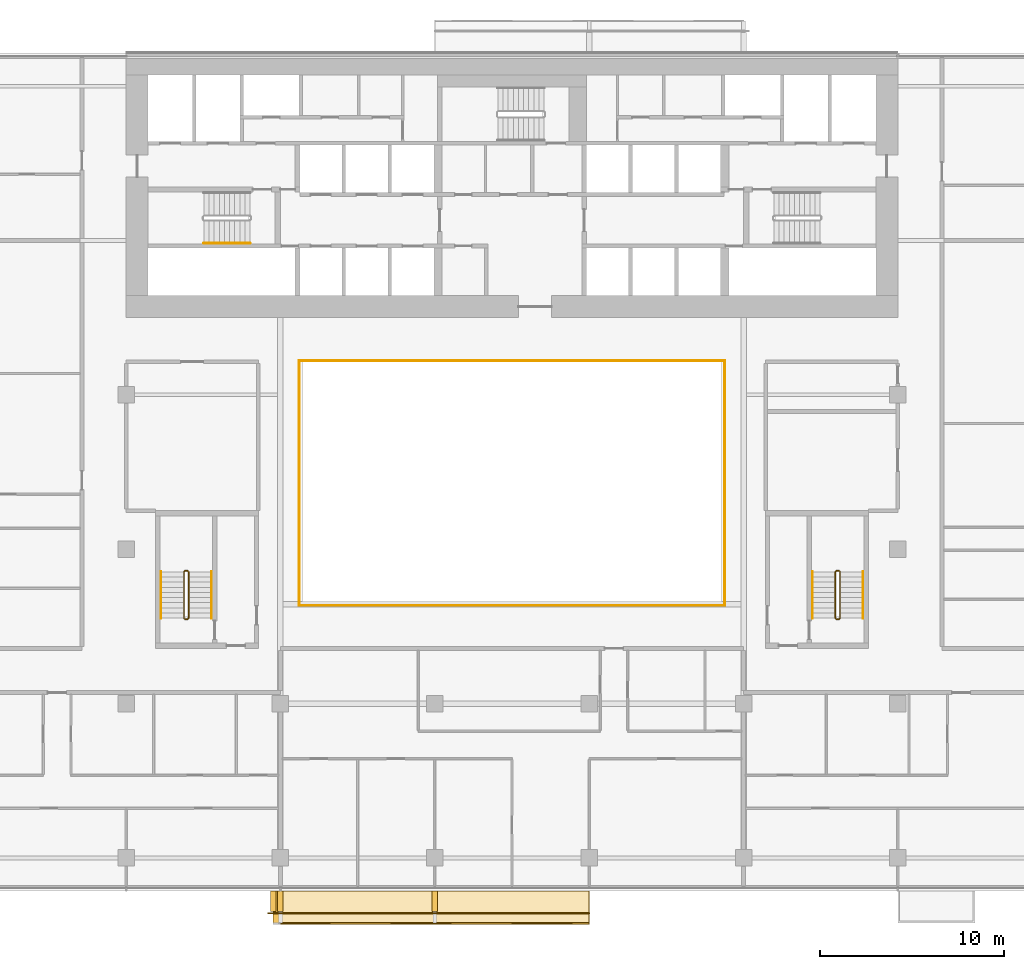
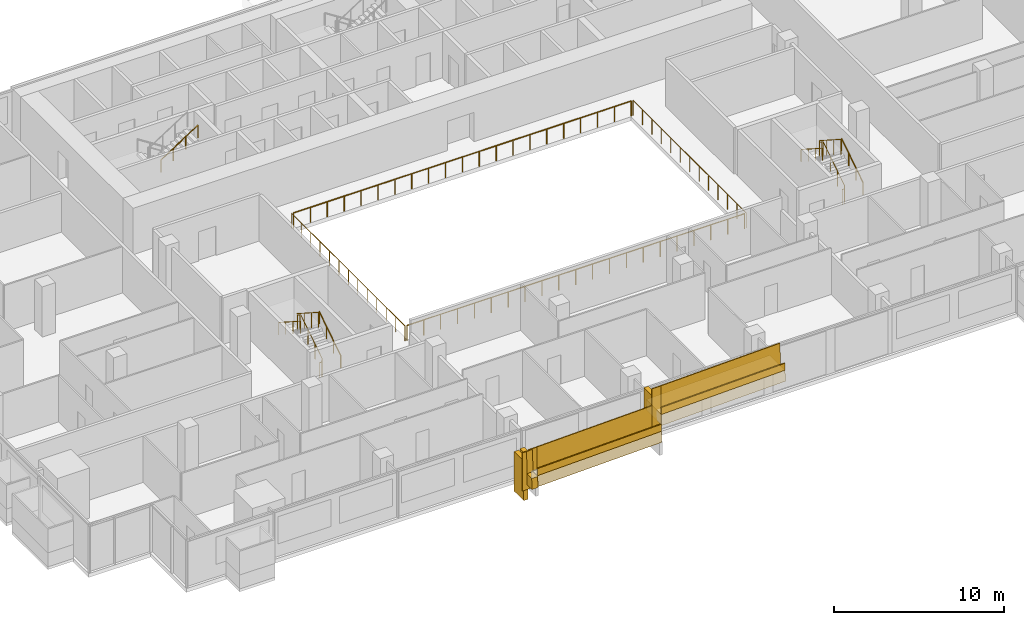
# One storey, part 26 of 27: 17 railings, 8 coverings.
"""IFC4 building model written with IfcOpenShell, lengths in metres."""

from ifc_helpers import new_model, si_unit, direction, frame, origin, origin_2d, place, context, subcontext, project, spatial, polyline, rectangle, circle, outline, extrude, material, layer, layer_set, type_object, element, save


model = new_model("IFC4")

# Units and contexts
model_context = context("Model", 3, precision=1e-05, world=origin(), true_north=direction((0.0, 1.0)))
body_context = subcontext(model_context, "Body", "Model", "MODEL_VIEW")
ifc_project = project(units=[si_unit("LENGTHUNIT", "METRE"), si_unit("AREAUNIT", "SQUARE_METRE"), si_unit("VOLUMEUNIT", "CUBIC_METRE"), si_unit("PLANEANGLEUNIT", "RADIAN"), si_unit("MASSUNIT", "GRAM", prefix="KILO")], contexts=[model_context])

# Site, building, storey
site_placement = place(None, origin())
site = spatial("IfcSite", under=ifc_project, at=site_placement, CompositionType="ELEMENT")
building_placement = place(site_placement, origin())
building = spatial("IfcBuilding", under=site, at=building_placement, Name="Saffron Gate Tower", CompositionType="ELEMENT")
storey_placement = place(building_placement, frame((0.0, 0.0, 40.800048828125)))
storey = spatial("IfcBuildingStorey", under=building, at=storey_placement, Name="L08", CompositionType="ELEMENT", Elevation=40.800048828125)

# Railings
ifc_material_1 = material(Name="Stainless steel and laminated glass", Category="steel")
railing_type_1 = type_object("IfcRailingType", Name="AG1 Atrium edge guard 1100", PredefinedType="GUARDRAIL", material=ifc_material_1)
railing_1_placement = place(storey_placement, frame((76.02001953125, 45.5400390625, 0.0)))
element("IfcRailing", 1, at=railing_1_placement, inside=storey, type_object=railing_type_1, Name="Guard A1-1", PredefinedType="GUARDRAIL", context=body_context, shape_type="SweptSolid", body=[
    extrude(circle(Radius=0.02392578125, at=origin_2d()), frame((0.0, 0.0, 1.076171875), z_axis=(0.0, 1.0, 0.0), x_axis=(-1.0, 0.0, 0.0)), (0.0, 0.0, 1.0), 13.320068359375),
    extrude(circle(Radius=0.02099609375, at=origin_2d()), origin(), (0.0, 0.0, 1.0), 1.052001953125),
    extrude(circle(Radius=0.02099609375, at=origin_2d()), frame((0.0, 1.110107421875, 0.0)), (0.0, 0.0, 1.0), 1.052001953125),
    extrude(circle(Radius=0.02099609375, at=origin_2d()), frame((0.0, 2.219970703125, 0.0)), (0.0, 0.0, 1.0), 1.052001953125),
    extrude(circle(Radius=0.02099609375, at=origin_2d()), frame((0.0, 3.330078125, 0.0)), (0.0, 0.0, 1.0), 1.052001953125),
    extrude(circle(Radius=0.02099609375, at=origin_2d()), frame((0.0, 4.43994140625, 0.0)), (0.0, 0.0, 1.0), 1.052001953125),
    extrude(circle(Radius=0.02099609375, at=origin_2d()), frame((0.0, 5.550048828125, 0.0)), (0.0, 0.0, 1.0), 1.052001953125),
    extrude(circle(Radius=0.02099609375, at=origin_2d()), frame((0.0, 6.66015625, 0.0)), (0.0, 0.0, 1.0), 1.052001953125),
    extrude(circle(Radius=0.02099609375, at=origin_2d()), frame((0.0, 7.77001953125, 0.0)), (0.0, 0.0, 1.0), 1.052001953125),
    extrude(circle(Radius=0.02099609375, at=origin_2d()), frame((0.0, 8.880126953125, 0.0)), (0.0, 0.0, 1.0), 1.052001953125),
    extrude(circle(Radius=0.02099609375, at=origin_2d()), frame((0.0, 9.989990234375, 0.0)), (0.0, 0.0, 1.0), 1.052001953125),
    extrude(circle(Radius=0.02099609375, at=origin_2d()), frame((0.0, 11.10009765625, 0.0)), (0.0, 0.0, 1.0), 1.052001953125),
    extrude(circle(Radius=0.02099609375, at=origin_2d()), frame((0.0, 12.2099609375, 0.0)), (0.0, 0.0, 1.0), 1.052001953125),
    extrude(circle(Radius=0.02099609375, at=origin_2d()), frame((0.0, 13.320068359375, 0.0)), (0.0, 0.0, 1.0), 1.052001953125),
])
railing_2_placement = place(storey_placement, frame((76.139892578125, 58.860107421875, 0.0)))
element("IfcRailing", 2, at=railing_2_placement, inside=storey, type_object=railing_type_1, Name="Guard A1-2", PredefinedType="GUARDRAIL", context=body_context, shape_type="SweptSolid", body=[
    extrude(circle(Radius=0.02392578125, at=origin_2d()), frame((0.0, 0.0, 1.076171875), z_axis=(1.0, 0.0, 0.0), x_axis=(0.0, 1.0, 0.0)), (0.0, 0.0, 1.0), 22.920166015625),
    extrude(circle(Radius=0.02099609375, at=origin_2d()), origin(), (0.0, 0.0, 1.0), 1.052001953125),
    extrude(circle(Radius=0.02099609375, at=origin_2d()), frame((1.14599609375, 0.0, 0.0)), (0.0, 0.0, 1.0), 1.052001953125),
    extrude(circle(Radius=0.02099609375, at=origin_2d()), frame((2.2919921875, 0.0, 0.0)), (0.0, 0.0, 1.0), 1.052001953125),
    extrude(circle(Radius=0.02099609375, at=origin_2d()), frame((3.43798828125, 0.0, 0.0)), (0.0, 0.0, 1.0), 1.052001953125),
    extrude(circle(Radius=0.02099609375, at=origin_2d()), frame((4.583984375, 0.0, 0.0)), (0.0, 0.0, 1.0), 1.052001953125),
    extrude(circle(Radius=0.02099609375, at=origin_2d()), frame((5.72998046875, 0.0, 0.0)), (0.0, 0.0, 1.0), 1.052001953125),
    extrude(circle(Radius=0.02099609375, at=origin_2d()), frame((6.8759765625, 0.0, 0.0)), (0.0, 0.0, 1.0), 1.052001953125),
    extrude(circle(Radius=0.02099609375, at=origin_2d()), frame((8.02197265625, 0.0, 0.0)), (0.0, 0.0, 1.0), 1.052001953125),
    extrude(circle(Radius=0.02099609375, at=origin_2d()), frame((9.16796875, 0.0, 0.0)), (0.0, 0.0, 1.0), 1.052001953125),
    extrude(circle(Radius=0.02099609375, at=origin_2d()), frame((10.31396484375, 0.0, 0.0)), (0.0, 0.0, 1.0), 1.052001953125),
    extrude(circle(Radius=0.02099609375, at=origin_2d()), frame((11.4599609375, 0.0, 0.0)), (0.0, 0.0, 1.0), 1.052001953125),
    extrude(circle(Radius=0.02099609375, at=origin_2d()), frame((12.606201171875, 0.0, 0.0)), (0.0, 0.0, 1.0), 1.052001953125),
    extrude(circle(Radius=0.02099609375, at=origin_2d()), frame((13.752197265625, 0.0, 0.0)), (0.0, 0.0, 1.0), 1.052001953125),
    extrude(circle(Radius=0.02099609375, at=origin_2d()), frame((14.898193359375, 0.0, 0.0)), (0.0, 0.0, 1.0), 1.052001953125),
    extrude(circle(Radius=0.02099609375, at=origin_2d()), frame((16.044189453125, 0.0, 0.0)), (0.0, 0.0, 1.0), 1.052001953125),
    extrude(circle(Radius=0.02099609375, at=origin_2d()), frame((17.190185546875, 0.0, 0.0)), (0.0, 0.0, 1.0), 1.052001953125),
    extrude(circle(Radius=0.02099609375, at=origin_2d()), frame((18.336181640625, 0.0, 0.0)), (0.0, 0.0, 1.0), 1.052001953125),
    extrude(circle(Radius=0.02099609375, at=origin_2d()), frame((19.482177734375, 0.0, 0.0)), (0.0, 0.0, 1.0), 1.052001953125),
    extrude(circle(Radius=0.02099609375, at=origin_2d()), frame((20.628173828125, 0.0, 0.0)), (0.0, 0.0, 1.0), 1.052001953125),
    extrude(circle(Radius=0.02099609375, at=origin_2d()), frame((21.774169921875, 0.0, 0.0)), (0.0, 0.0, 1.0), 1.052001953125),
    extrude(circle(Radius=0.02099609375, at=origin_2d()), frame((22.920166015625, 0.0, 0.0)), (0.0, 0.0, 1.0), 1.052001953125),
])
railing_3_placement = place(storey_placement, frame((99.179931640625, 58.860107421875, 0.0)))
element("IfcRailing", 3, at=railing_3_placement, inside=storey, type_object=railing_type_1, Name="Guard A1-3", PredefinedType="GUARDRAIL", context=body_context, shape_type="SweptSolid", body=[
    extrude(circle(Radius=0.02392578125, at=origin_2d()), frame((0.0, 0.0, 1.076171875), z_axis=(0.0, -1.0, 0.0), x_axis=(1.0, 0.0, 0.0)), (0.0, 0.0, 1.0), 13.320068359375),
    extrude(circle(Radius=0.02099609375, at=origin_2d()), origin(), (0.0, 0.0, 1.0), 1.052001953125),
    extrude(circle(Radius=0.02099609375, at=origin_2d()), frame((0.0, -1.110107421875, 0.0)), (0.0, 0.0, 1.0), 1.052001953125),
    extrude(circle(Radius=0.02099609375, at=origin_2d()), frame((0.0, -2.219970703125, 0.0)), (0.0, 0.0, 1.0), 1.052001953125),
    extrude(circle(Radius=0.02099609375, at=origin_2d()), frame((0.0, -3.330078125, 0.0)), (0.0, 0.0, 1.0), 1.052001953125),
    extrude(circle(Radius=0.02099609375, at=origin_2d()), frame((0.0, -4.43994140625, 0.0)), (0.0, 0.0, 1.0), 1.052001953125),
    extrude(circle(Radius=0.02099609375, at=origin_2d()), frame((0.0, -5.550048828125, 0.0)), (0.0, 0.0, 1.0), 1.052001953125),
    extrude(circle(Radius=0.02099609375, at=origin_2d()), frame((0.0, -6.66015625, 0.0)), (0.0, 0.0, 1.0), 1.052001953125),
    extrude(circle(Radius=0.02099609375, at=origin_2d()), frame((0.0, -7.77001953125, 0.0)), (0.0, 0.0, 1.0), 1.052001953125),
    extrude(circle(Radius=0.02099609375, at=origin_2d()), frame((0.0, -8.880126953125, 0.0)), (0.0, 0.0, 1.0), 1.052001953125),
    extrude(circle(Radius=0.02099609375, at=origin_2d()), frame((0.0, -9.989990234375, 0.0)), (0.0, 0.0, 1.0), 1.052001953125),
    extrude(circle(Radius=0.02099609375, at=origin_2d()), frame((0.0, -11.10009765625, 0.0)), (0.0, 0.0, 1.0), 1.052001953125),
    extrude(circle(Radius=0.02099609375, at=origin_2d()), frame((0.0, -12.2099609375, 0.0)), (0.0, 0.0, 1.0), 1.052001953125),
    extrude(circle(Radius=0.02099609375, at=origin_2d()), frame((0.0, -13.320068359375, 0.0)), (0.0, 0.0, 1.0), 1.052001953125),
])
railing_4_placement = place(storey_placement, frame((99.06005859375, 45.5400390625, 0.0)))
element("IfcRailing", 4, at=railing_4_placement, inside=storey, type_object=railing_type_1, Name="Guard A1-4", PredefinedType="GUARDRAIL", context=body_context, shape_type="SweptSolid", body=[
    extrude(circle(Radius=0.02392578125, at=origin_2d()), frame((0.0, 0.0, 1.076171875), z_axis=(-1.0, 0.0, 0.0), x_axis=(0.0, -1.0, 0.0)), (0.0, 0.0, 1.0), 22.920166015625),
    extrude(circle(Radius=0.02099609375, at=origin_2d()), origin(), (0.0, 0.0, 1.0), 1.052001953125),
    extrude(circle(Radius=0.02099609375, at=origin_2d()), frame((-1.14599609375, 0.0, 0.0)), (0.0, 0.0, 1.0), 1.052001953125),
    extrude(circle(Radius=0.02099609375, at=origin_2d()), frame((-2.2919921875, 0.0, 0.0)), (0.0, 0.0, 1.0), 1.052001953125),
    extrude(circle(Radius=0.02099609375, at=origin_2d()), frame((-3.43798828125, 0.0, 0.0)), (0.0, 0.0, 1.0), 1.052001953125),
    extrude(circle(Radius=0.02099609375, at=origin_2d()), frame((-4.583984375, 0.0, 0.0)), (0.0, 0.0, 1.0), 1.052001953125),
    extrude(circle(Radius=0.02099609375, at=origin_2d()), frame((-5.72998046875, 0.0, 0.0)), (0.0, 0.0, 1.0), 1.052001953125),
    extrude(circle(Radius=0.02099609375, at=origin_2d()), frame((-6.8759765625, 0.0, 0.0)), (0.0, 0.0, 1.0), 1.052001953125),
    extrude(circle(Radius=0.02099609375, at=origin_2d()), frame((-8.02197265625, 0.0, 0.0)), (0.0, 0.0, 1.0), 1.052001953125),
    extrude(circle(Radius=0.02099609375, at=origin_2d()), frame((-9.16796875, 0.0, 0.0)), (0.0, 0.0, 1.0), 1.052001953125),
    extrude(circle(Radius=0.02099609375, at=origin_2d()), frame((-10.31396484375, 0.0, 0.0)), (0.0, 0.0, 1.0), 1.052001953125),
    extrude(circle(Radius=0.02099609375, at=origin_2d()), frame((-11.4599609375, 0.0, 0.0)), (0.0, 0.0, 1.0), 1.052001953125),
    extrude(circle(Radius=0.02099609375, at=origin_2d()), frame((-12.606201171875, 0.0, 0.0)), (0.0, 0.0, 1.0), 1.052001953125),
    extrude(circle(Radius=0.02099609375, at=origin_2d()), frame((-13.752197265625, 0.0, 0.0)), (0.0, 0.0, 1.0), 1.052001953125),
    extrude(circle(Radius=0.02099609375, at=origin_2d()), frame((-14.898193359375, 0.0, 0.0)), (0.0, 0.0, 1.0), 1.052001953125),
    extrude(circle(Radius=0.02099609375, at=origin_2d()), frame((-16.044189453125, 0.0, 0.0)), (0.0, 0.0, 1.0), 1.052001953125),
    extrude(circle(Radius=0.02099609375, at=origin_2d()), frame((-17.190185546875, 0.0, 0.0)), (0.0, 0.0, 1.0), 1.052001953125),
    extrude(circle(Radius=0.02099609375, at=origin_2d()), frame((-18.336181640625, 0.0, 0.0)), (0.0, 0.0, 1.0), 1.052001953125),
    extrude(circle(Radius=0.02099609375, at=origin_2d()), frame((-19.482177734375, 0.0, 0.0)), (0.0, 0.0, 1.0), 1.052001953125),
    extrude(circle(Radius=0.02099609375, at=origin_2d()), frame((-20.628173828125, 0.0, 0.0)), (0.0, 0.0, 1.0), 1.052001953125),
    extrude(circle(Radius=0.02099609375, at=origin_2d()), frame((-21.774169921875, 0.0, 0.0)), (0.0, 0.0, 1.0), 1.052001953125),
    extrude(circle(Radius=0.02099609375, at=origin_2d()), frame((-22.920166015625, 0.0, 0.0)), (0.0, 0.0, 1.0), 1.052001953125),
])
railing_type_2 = type_object("IfcRailingType", Name="CR1 Stair guard 1100", PredefinedType="GUARDRAIL", material=ifc_material_1)
railing_5_placement = place(storey_placement, frame((69.800048828125, 44.800048828125, 0.0)))
element("IfcRailing", 5, at=railing_5_placement, inside=storey, type_object=railing_type_2, Name="L08 ST-D stair guard 1", PredefinedType="GUARDRAIL", context=body_context, shape_type="SweptSolid", body=[
    extrude(circle(Radius=0.02392578125, at=origin_2d()), frame((0.0, 0.0, 1.076171875), z_axis=(1.0, 0.0, 0.0), x_axis=(0.0, 1.0, 0.0)), (0.0, 0.0, 1.0), 0.14990234375),
    extrude(circle(Radius=0.02392578125, at=origin_2d()), frame((0.14990234375, 0.0, 1.076171875), z_axis=(0.258847668887, 0.258847668887, 0.930588936439), x_axis=(-0.707106781187, 0.707106781187, 0.0)), (0.0, 0.0, 1.0), 0.193359375),
    extrude(circle(Radius=0.02392578125, at=origin_2d()), frame((0.199951171875, 0.050048828125, 1.255859375), z_axis=(0.0, 0.841162588446, 0.540782303519), x_axis=(-1.0, 0.0, 0.0)), (0.0, 0.0, 1.0), 2.995849609375),
    extrude(circle(Radius=0.02392578125, at=origin_2d()), frame((0.199951171875, 2.570068359375, 2.8759765625), z_axis=(-0.708833529934, 0.705375805398, 0.0), x_axis=(-0.705375805398, -0.708833529934, 0.0)), (0.0, 0.0, 1.0), 0.070556640625),
    extrude(circle(Radius=0.02392578125, at=origin_2d()), frame((0.14990234375, 2.619873046875, 2.8759765625), z_axis=(-1.0, 0.0, 0.0), x_axis=(0.0, -1.0, 0.0)), (0.0, 0.0, 1.0), 0.14990234375),
    extrude(circle(Radius=0.02392578125, at=origin_2d()), frame((0.0, 2.619873046875, 2.8759765625), z_axis=(-0.258932105505, -0.257669022063, 0.930892496375), x_axis=(0.705375805398, -0.708833529934, 0.0)), (0.0, 0.0, 1.0), 0.193359375),
    extrude(circle(Radius=0.02392578125, at=origin_2d()), frame((-0.050048828125, 2.570068359375, 3.05615234375), z_axis=(0.0, -0.841199657755, 0.540724639528), x_axis=(1.0, 0.0, 0.0)), (0.0, 0.0, 1.0), 2.995849609375),
    extrude(circle(Radius=0.02099609375, at=origin_2d()), origin(), (0.0, 0.0, 1.0), 1.052001953125),
    extrude(circle(Radius=0.02099609375, at=origin_2d()), frame((0.14990234375, 0.0, 0.0)), (0.0, 0.0, 1.0), 1.052001953125),
    extrude(circle(Radius=0.02099609375, at=origin_2d()), frame((0.199951171875, 0.050048828125, 0.179931640625)), (0.0, 0.0, 1.0), 1.052001953125),
    extrude(circle(Radius=0.02099609375, at=origin_2d()), frame((0.199951171875, 0.89013671875, 0.719970703125)), (0.0, 0.0, 1.0), 1.052001953125),
    extrude(circle(Radius=0.02099609375, at=origin_2d()), frame((0.199951171875, 1.72998046875, 1.260009765625)), (0.0, 0.0, 1.0), 1.052001953125),
    extrude(circle(Radius=0.02099609375, at=origin_2d()), frame((0.199951171875, 2.570068359375, 1.800048828125)), (0.0, 0.0, 1.0), 1.052001953125),
    extrude(circle(Radius=0.02099609375, at=origin_2d()), frame((0.14990234375, 2.619873046875, 1.800048828125)), (0.0, 0.0, 1.0), 1.052001953125),
    extrude(circle(Radius=0.02099609375, at=origin_2d()), frame((0.0, 2.619873046875, 1.800048828125)), (0.0, 0.0, 1.0), 1.052001953125),
    extrude(circle(Radius=0.02099609375, at=origin_2d()), frame((-0.050048828125, 2.570068359375, 1.97998046875)), (0.0, 0.0, 1.0), 1.052001953125),
    extrude(circle(Radius=0.02099609375, at=origin_2d()), frame((-0.050048828125, 1.72998046875, 2.52001953125)), (0.0, 0.0, 1.0), 1.052001953125),
    extrude(circle(Radius=0.02099609375, at=origin_2d()), frame((-0.050048828125, 0.89013671875, 3.059814453125)), (0.0, 0.0, 1.0), 1.052001953125),
    extrude(circle(Radius=0.02099609375, at=origin_2d()), frame((-0.050048828125, 0.050048828125, 3.599853515625)), (0.0, 0.0, 1.0), 1.052001953125),
])
railing_6_placement = place(storey_placement, frame((105.25, 44.800048828125, 0.0)))
element("IfcRailing", 6, at=railing_6_placement, inside=storey, type_object=railing_type_2, Name="L08 ST-E stair guard 1", PredefinedType="GUARDRAIL", context=body_context, shape_type="SweptSolid", body=[
    extrude(circle(Radius=0.02392578125, at=origin_2d()), frame((0.0, 0.0, 1.076171875), z_axis=(1.0, 0.0, 0.0), x_axis=(0.0, 1.0, 0.0)), (0.0, 0.0, 1.0), 0.14990234375),
    extrude(circle(Radius=0.02392578125, at=origin_2d()), frame((0.14990234375, 0.0, 1.076171875), z_axis=(0.258847668887, 0.258847668887, 0.930588936439), x_axis=(-0.707106781187, 0.707106781187, 0.0)), (0.0, 0.0, 1.0), 0.193359375),
    extrude(circle(Radius=0.02392578125, at=origin_2d()), frame((0.199951171875, 0.050048828125, 1.255859375), z_axis=(0.0, 0.841162588446, 0.540782303519), x_axis=(-1.0, 0.0, 0.0)), (0.0, 0.0, 1.0), 2.995849609375),
    extrude(circle(Radius=0.02392578125, at=origin_2d()), frame((0.199951171875, 2.570068359375, 2.8759765625), z_axis=(-0.708833529934, 0.705375805398, 0.0), x_axis=(-0.705375805398, -0.708833529934, 0.0)), (0.0, 0.0, 1.0), 0.070556640625),
    extrude(circle(Radius=0.02392578125, at=origin_2d()), frame((0.14990234375, 2.619873046875, 2.8759765625), z_axis=(-1.0, 0.0, 0.0), x_axis=(0.0, -1.0, 0.0)), (0.0, 0.0, 1.0), 0.14990234375),
    extrude(circle(Radius=0.02392578125, at=origin_2d()), frame((0.0, 2.619873046875, 2.8759765625), z_axis=(-0.258932105505, -0.257669022063, 0.930892496375), x_axis=(0.705375805398, -0.708833529934, 0.0)), (0.0, 0.0, 1.0), 0.193359375),
    extrude(circle(Radius=0.02392578125, at=origin_2d()), frame((-0.050048828125, 2.570068359375, 3.05615234375), z_axis=(0.0, -0.841199657755, 0.540724639528), x_axis=(1.0, 0.0, 0.0)), (0.0, 0.0, 1.0), 2.995849609375),
    extrude(circle(Radius=0.02099609375, at=origin_2d()), origin(), (0.0, 0.0, 1.0), 1.052001953125),
    extrude(circle(Radius=0.02099609375, at=origin_2d()), frame((0.14990234375, 0.0, 0.0)), (0.0, 0.0, 1.0), 1.052001953125),
    extrude(circle(Radius=0.02099609375, at=origin_2d()), frame((0.199951171875, 0.050048828125, 0.179931640625)), (0.0, 0.0, 1.0), 1.052001953125),
    extrude(circle(Radius=0.02099609375, at=origin_2d()), frame((0.199951171875, 0.89013671875, 0.719970703125)), (0.0, 0.0, 1.0), 1.052001953125),
    extrude(circle(Radius=0.02099609375, at=origin_2d()), frame((0.199951171875, 1.72998046875, 1.260009765625)), (0.0, 0.0, 1.0), 1.052001953125),
    extrude(circle(Radius=0.02099609375, at=origin_2d()), frame((0.199951171875, 2.570068359375, 1.800048828125)), (0.0, 0.0, 1.0), 1.052001953125),
    extrude(circle(Radius=0.02099609375, at=origin_2d()), frame((0.14990234375, 2.619873046875, 1.800048828125)), (0.0, 0.0, 1.0), 1.052001953125),
    extrude(circle(Radius=0.02099609375, at=origin_2d()), frame((0.0, 2.619873046875, 1.800048828125)), (0.0, 0.0, 1.0), 1.052001953125),
    extrude(circle(Radius=0.02099609375, at=origin_2d()), frame((-0.050048828125, 2.570068359375, 1.97998046875)), (0.0, 0.0, 1.0), 1.052001953125),
    extrude(circle(Radius=0.02099609375, at=origin_2d()), frame((-0.050048828125, 1.72998046875, 2.52001953125)), (0.0, 0.0, 1.0), 1.052001953125),
    extrude(circle(Radius=0.02099609375, at=origin_2d()), frame((-0.050048828125, 0.89013671875, 3.059814453125)), (0.0, 0.0, 1.0), 1.052001953125),
    extrude(circle(Radius=0.02099609375, at=origin_2d()), frame((-0.050048828125, 0.050048828125, 3.599853515625)), (0.0, 0.0, 1.0), 1.052001953125),
])
ifc_material_2 = material(Name="Stainless steel", Category="steel")
railing_type_3 = type_object("IfcRailingType", Name="CR2 Stair handrail 900", PredefinedType="HANDRAIL", material=ifc_material_2)
railing_7_placement = place(storey_placement, frame((70.830078125, 65.25, 1.97998046875)))
element("IfcRailing", 7, at=railing_7_placement, inside=storey, type_object=railing_type_3, Name="L08 ST-A stair handrail 2", PredefinedType="HANDRAIL", context=body_context, shape_type="SweptSolid", body=[
    extrude(circle(Radius=0.02392578125, at=origin_2d()), frame((0.0, 0.0, 0.8759765625), z_axis=(0.841199657755, 0.0, 0.540724639528), x_axis=(0.0, 1.0, 0.0)), (0.0, 0.0, 1.0), 2.995849609375),
    extrude(circle(Radius=0.02099609375, at=origin_2d()), origin(), (0.0, 0.0, 1.0), 0.851806640625),
    extrude(circle(Radius=0.02099609375, at=origin_2d()), frame((0.840087890625, 0.0, 0.5400390625)), (0.0, 0.0, 1.0), 0.851806640625),
    extrude(circle(Radius=0.02099609375, at=origin_2d()), frame((1.679931640625, 0.0, 1.079833984375)), (0.0, 0.0, 1.0), 0.851806640625),
    extrude(circle(Radius=0.02099609375, at=origin_2d()), frame((2.52001953125, 0.0, 1.619873046875)), (0.0, 0.0, 1.0), 0.851806640625),
])
railing_8_placement = place(storey_placement, frame((71.25, 44.85009765625, 0.179931640625)))
element("IfcRailing", 8, at=railing_8_placement, inside=storey, type_object=railing_type_3, Name="L08 ST-D stair handrail 1", PredefinedType="HANDRAIL", context=body_context, shape_type="SweptSolid", body=[
    extrude(circle(Radius=0.02392578125, at=origin_2d()), frame((0.0, 0.0, 0.8759765625), z_axis=(0.0, 0.841162588446, 0.540782303519), x_axis=(-1.0, 0.0, 0.0)), (0.0, 0.0, 1.0), 2.995849609375),
    extrude(circle(Radius=0.02099609375, at=origin_2d()), origin(), (0.0, 0.0, 1.0), 0.851806640625),
    extrude(circle(Radius=0.02099609375, at=origin_2d()), frame((0.0, 0.840087890625, 0.5400390625)), (0.0, 0.0, 1.0), 0.851806640625),
    extrude(circle(Radius=0.02099609375, at=origin_2d()), frame((0.0, 1.679931640625, 1.080078125)), (0.0, 0.0, 1.0), 0.851806640625),
    extrude(circle(Radius=0.02099609375, at=origin_2d()), frame((0.0, 2.52001953125, 1.6201171875)), (0.0, 0.0, 1.0), 0.851806640625),
])
railing_9_placement = place(storey_placement, frame((68.5, 47.3701171875, 1.97998046875)))
element("IfcRailing", 9, at=railing_9_placement, inside=storey, type_object=railing_type_3, Name="L08 ST-D stair handrail 2", PredefinedType="HANDRAIL", context=body_context, shape_type="SweptSolid", body=[
    extrude(circle(Radius=0.02392578125, at=origin_2d()), frame((0.0, 0.0, 0.8759765625), z_axis=(0.0, -0.841199657755, 0.540724639528), x_axis=(1.0, 0.0, 0.0)), (0.0, 0.0, 1.0), 2.995849609375),
    extrude(circle(Radius=0.02099609375, at=origin_2d()), origin(), (0.0, 0.0, 1.0), 0.851806640625),
    extrude(circle(Radius=0.02099609375, at=origin_2d()), frame((0.0, -0.840087890625, 0.5400390625)), (0.0, 0.0, 1.0), 0.851806640625),
    extrude(circle(Radius=0.02099609375, at=origin_2d()), frame((0.0, -1.679931640625, 1.079833984375)), (0.0, 0.0, 1.0), 0.851806640625),
    extrude(circle(Radius=0.02099609375, at=origin_2d()), frame((0.0, -2.52001953125, 1.619873046875)), (0.0, 0.0, 1.0), 0.851806640625),
])
railing_10_placement = place(storey_placement, frame((106.699951171875, 44.85009765625, 0.179931640625)))
element("IfcRailing", 10, at=railing_10_placement, inside=storey, type_object=railing_type_3, Name="L08 ST-E stair handrail 1", PredefinedType="HANDRAIL", context=body_context, shape_type="SweptSolid", body=[
    extrude(circle(Radius=0.02392578125, at=origin_2d()), frame((0.0, 0.0, 0.8759765625), z_axis=(0.0, 0.841162588446, 0.540782303519), x_axis=(-1.0, 0.0, 0.0)), (0.0, 0.0, 1.0), 2.995849609375),
    extrude(circle(Radius=0.02099609375, at=origin_2d()), origin(), (0.0, 0.0, 1.0), 0.851806640625),
    extrude(circle(Radius=0.02099609375, at=origin_2d()), frame((0.0, 0.840087890625, 0.5400390625)), (0.0, 0.0, 1.0), 0.851806640625),
    extrude(circle(Radius=0.02099609375, at=origin_2d()), frame((0.0, 1.679931640625, 1.080078125)), (0.0, 0.0, 1.0), 0.851806640625),
    extrude(circle(Radius=0.02099609375, at=origin_2d()), frame((0.0, 2.52001953125, 1.6201171875)), (0.0, 0.0, 1.0), 0.851806640625),
])
railing_11_placement = place(storey_placement, frame((103.949951171875, 47.3701171875, 1.97998046875)))
element("IfcRailing", 11, at=railing_11_placement, inside=storey, type_object=railing_type_3, Name="L08 ST-E stair handrail 2", PredefinedType="HANDRAIL", context=body_context, shape_type="SweptSolid", body=[
    extrude(circle(Radius=0.02392578125, at=origin_2d()), frame((0.0, 0.0, 0.8759765625), z_axis=(0.0, -0.841199657755, 0.540724639528), x_axis=(1.0, 0.0, 0.0)), (0.0, 0.0, 1.0), 2.995849609375),
    extrude(circle(Radius=0.02099609375, at=origin_2d()), origin(), (0.0, 0.0, 1.0), 0.851806640625),
    extrude(circle(Radius=0.02099609375, at=origin_2d()), frame((0.0, -0.840087890625, 0.5400390625)), (0.0, 0.0, 1.0), 0.851806640625),
    extrude(circle(Radius=0.02099609375, at=origin_2d()), frame((0.0, -1.679931640625, 1.079833984375)), (0.0, 0.0, 1.0), 0.851806640625),
    extrude(circle(Radius=0.02099609375, at=origin_2d()), frame((0.0, -2.52001953125, 1.619873046875)), (0.0, 0.0, 1.0), 0.851806640625),
])

# Coverings
ifc_material_3 = material(Name="Timber, thermally modified ash", Category="wood")
ifc_layer_1 = layer(ifc_material_3, 0.800048828125)
ifc_layer_set_1 = layer_set([ifc_layer_1], Name="LD1 ledge timber")
covering_type_1 = type_object("IfcCoveringType", Name="LD1 ledge timber", PredefinedType="CLADDING", material=ifc_layer_set_1)
covering_1_placement = place(storey_placement, frame((74.60009765625, 30.0, 1.146240234375), z_axis=(-0.028681724025, 0.0, 0.999588594726), x_axis=(0.999588594726, 0.0, 0.028681724025)))
element("IfcCovering", 12, at=covering_1_placement, inside=storey, type_object=covering_type_1, Name="LEDGE", PredefinedType="CLADDING", context=body_context, shape_type="SweptSolid", body=[
    extrude(outline(polyline([(0.0, 0.0), (0.40006693339621563, 0.0), (0.40006693339621563, -1.8000488281250004), (0.0, -1.8000488281250004), (0.0, 0.0)])), origin(), (0.0, 0.0, -1.0), 0.800048828125),
])
covering_2_placement = place(storey_placement, frame((75.0, 30.0, 1.21484375), z_axis=(-0.028791175352, 0.0, 0.999585448184), x_axis=(0.999585448184, 0.0, 0.028791175352)))
element("IfcCovering", 13, at=covering_2_placement, inside=storey, type_object=covering_type_1, Name="LEDGE", PredefinedType="CLADDING", context=body_context, shape_type="SweptSolid", body=[
    extrude(outline(polyline([(0.0, 0.0), (8.403385982666892, 0.0), (8.403385982666892, -1.800048828125), (0.0, -1.800048828125), (0.0, 0.0)])), origin(), (0.0, 0.0, -1.0), 0.800048828125),
])
covering_3_placement = place(storey_placement, frame((83.39990234375, 30.0, 2.6572265625), z_axis=(-0.028790339263, 0.0, 0.999585472266), x_axis=(0.999585472266, 0.0, 0.028790339263)))
element("IfcCovering", 14, at=covering_3_placement, inside=storey, type_object=covering_type_1, Name="LEDGE", PredefinedType="CLADDING", context=body_context, shape_type="SweptSolid", body=[
    extrude(outline(polyline([(0.0, 0.0), (8.403630022085892, 0.0), (8.403630022085892, -1.800048828125), (0.0, -1.800048828125), (0.0, 0.0)])), origin(), (0.0, 0.0, -1.0), 0.800048828125),
])
ifc_layer_2 = layer(ifc_material_3, 0.080078125)
ifc_layer_set_2 = layer_set([ifc_layer_2], Name="LD2 ledge planter trough")
covering_type_2 = type_object("IfcCoveringType", Name="LD2 ledge planter trough", PredefinedType="CLADDING", material=ifc_layer_set_2)
covering_4_placement = place(storey_placement, frame((75.0, 28.199951171875, 1.21484375), z_axis=(0.0, -1.0, 0.0), x_axis=(0.999585448184, 0.0, 0.028791175352)))
element("IfcCovering", 15, at=covering_4_placement, inside=storey, type_object=covering_type_2, Name="LEDGE planter trough", PredefinedType="CLADDING", context=body_context, shape_type="SweptSolid", body=[
    extrude(outline(polyline([(0.0, 0.0), (8.403385982666892, 0.0), (8.417781570342743, 0.49979272409216496), (0.014395587675851172, 0.4997927240921649), (0.0, 0.0)])), origin(), (0.0, 0.0, -1.0), 0.080078125),
])
covering_5_placement = place(storey_placement, frame((83.39990234375, 28.199951171875, 2.6572265625), z_axis=(0.0, -1.0, 0.0), x_axis=(0.999585472266, 0.0, 0.028790339263)))
element("IfcCovering", 16, at=covering_5_placement, inside=storey, type_object=covering_type_2, Name="LEDGE planter trough", PredefinedType="CLADDING", context=body_context, shape_type="SweptSolid", body=[
    extrude(outline(polyline([(0.0, 0.0), (8.403630022085892, 0.0), (8.418025191717298, 0.4997927361329725), (0.014395169631405694, 0.4997927361329725), (0.0, 0.0)])), origin(), (0.0, 0.0, -1.0), 0.080078125),
])
ifc_layer_3 = layer(ifc_material_3, 0.300048828125)
ifc_layer_set_3 = layer_set([ifc_layer_3], Name="LD3 ledge riser fin")
covering_type_3 = type_object("IfcCoveringType", Name="LD3 ledge riser fin", PredefinedType="CLADDING", material=ifc_layer_set_3)
covering_6_placement = place(storey_placement, frame((74.60009765625, 29.43994140625, -0.797119140625), z_axis=(0.0, 0.0, 1.0), x_axis=(1.0, 0.0, 0.0)))
element("IfcCovering", 17, at=covering_6_placement, inside=storey, type_object=covering_type_3, Name="LEDGE riser fin", PredefinedType="CLADDING", context=body_context, shape_type="SweptSolid", body=[
    extrude(rectangle(XDim=0.300048828125, YDim=1.1201171875, at=origin_2d()), origin(), (0.0, 0.0, 1.0), 2.84326171875),
])
covering_7_placement = place(storey_placement, frame((75.0, 29.43994140625, 0.35791015625), z_axis=(0.0, 0.0, 1.0), x_axis=(1.0, 0.0, 0.0)))
element("IfcCovering", 18, at=covering_7_placement, inside=storey, type_object=covering_type_3, Name="LEDGE riser fin", PredefinedType="CLADDING", context=body_context, shape_type="SweptSolid", body=[
    extrude(rectangle(XDim=0.300048828125, YDim=1.1201171875, at=origin_2d()), origin(), (0.0, 0.0, 1.0), 1.757080078125),
])
covering_8_placement = place(storey_placement, frame((83.39990234375, 29.43994140625, 0.65673828125), z_axis=(0.0, 0.0, 1.0), x_axis=(1.0, 0.0, 0.0)))
element("IfcCovering", 19, at=covering_8_placement, inside=storey, type_object=covering_type_3, Name="LEDGE riser fin", PredefinedType="CLADDING", context=body_context, shape_type="SweptSolid", body=[
    extrude(rectangle(XDim=0.300048828125, YDim=1.1201171875, at=origin_2d()), origin(), (0.0, 0.0, 1.0), 2.900390625),
])

# Railings
railing_type_4 = type_object("IfcRailingType", Name="LG1 ledge balustrade", PredefinedType="BALUSTRADE", material=ifc_material_3)
railing_12_placement = place(storey_placement, frame((74.60009765625, 28.800048828125, 1.146240234375)))
element("IfcRailing", 20, at=railing_12_placement, inside=storey, type_object=railing_type_4, Name="LEDGE BALUSTRADE", PredefinedType="BALUSTRADE", context=body_context, shape_type="SweptSolid", body=[
    extrude(rectangle(XDim=0.06005859375, YDim=1.60009765625, at=origin_2d()), frame((0.0, 0.0, 0.800048828125), z_axis=(0.999588594726, 0.0, 0.028681724025), x_axis=(0.0, 1.0, 0.0)), (0.0, 0.0, 1.0), 0.400146484375),
])
railing_13_placement = place(storey_placement, frame((74.300048828125, 28.800048828125, 0.0029296875)))
element("IfcRailing", 21, at=railing_13_placement, inside=storey, type_object=railing_type_4, Name="LEDGE BALUSTRADE", PredefinedType="BALUSTRADE", context=body_context, shape_type="SweptSolid", body=[
    extrude(rectangle(XDim=0.06005859375, YDim=2.7431640625, at=origin_2d()), frame((0.0, 0.0, 1.37158203125), z_axis=(1.0, 0.0, 0.0), x_axis=(0.0, 1.0, 0.0)), (0.0, 0.0, 1.0), 0.599853515625),
])
railing_14_placement = place(storey_placement, frame((75.0, 28.800048828125, 1.21484375)))
element("IfcRailing", 22, at=railing_14_placement, inside=storey, type_object=railing_type_4, Name="LEDGE BALUSTRADE", PredefinedType="BALUSTRADE", context=body_context, shape_type="SweptSolid", body=[
    extrude(rectangle(XDim=0.06005859375, YDim=1.60009765625, at=origin_2d()), frame((0.0, 0.0, 0.800048828125), z_axis=(0.999585448184, 0.0, 0.028791175352), x_axis=(0.0, 1.0, 0.0)), (0.0, 0.0, 1.0), 8.4033203125),
])
railing_15_placement = place(storey_placement, frame((74.699951171875, 28.800048828125, 1.15771484375)))
element("IfcRailing", 23, at=railing_15_placement, inside=storey, type_object=railing_type_4, Name="LEDGE BALUSTRADE", PredefinedType="BALUSTRADE", context=body_context, shape_type="SweptSolid", body=[
    extrude(rectangle(XDim=0.06005859375, YDim=1.6572265625, at=origin_2d()), frame((0.0, 0.0, 0.82861328125), z_axis=(1.0, 0.0, 0.0), x_axis=(0.0, 1.0, 0.0)), (0.0, 0.0, 1.0), 0.60009765625),
])
railing_16_placement = place(storey_placement, frame((83.39990234375, 28.800048828125, 2.6572265625)))
element("IfcRailing", 24, at=railing_16_placement, inside=storey, type_object=railing_type_4, Name="LEDGE BALUSTRADE", PredefinedType="BALUSTRADE", context=body_context, shape_type="SweptSolid", body=[
    extrude(rectangle(XDim=0.06005859375, YDim=1.60009765625, at=origin_2d()), frame((0.0, 0.0, 0.800048828125), z_axis=(0.999585472266, 0.0, 0.028790339263), x_axis=(0.0, 1.0, 0.0)), (0.0, 0.0, 1.0), 8.403564453125),
])
railing_17_placement = place(storey_placement, frame((83.10009765625, 28.800048828125, 1.456787109375)))
element("IfcRailing", 25, at=railing_17_placement, inside=storey, type_object=railing_type_4, Name="LEDGE BALUSTRADE", PredefinedType="BALUSTRADE", context=body_context, shape_type="SweptSolid", body=[
    extrude(rectangle(XDim=0.06005859375, YDim=2.80029296875, at=origin_2d()), frame((0.0, 0.0, 1.400146484375), z_axis=(1.0, 0.0, 0.0), x_axis=(0.0, 1.0, 0.0)), (0.0, 0.0, 1.0), 0.599853515625),
])

save(model, "model.ifc")
